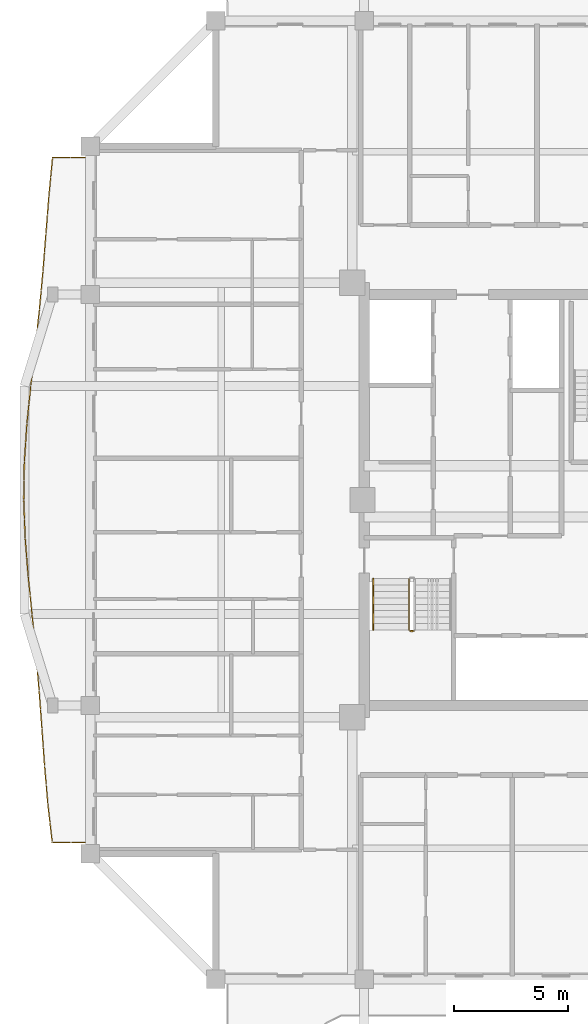
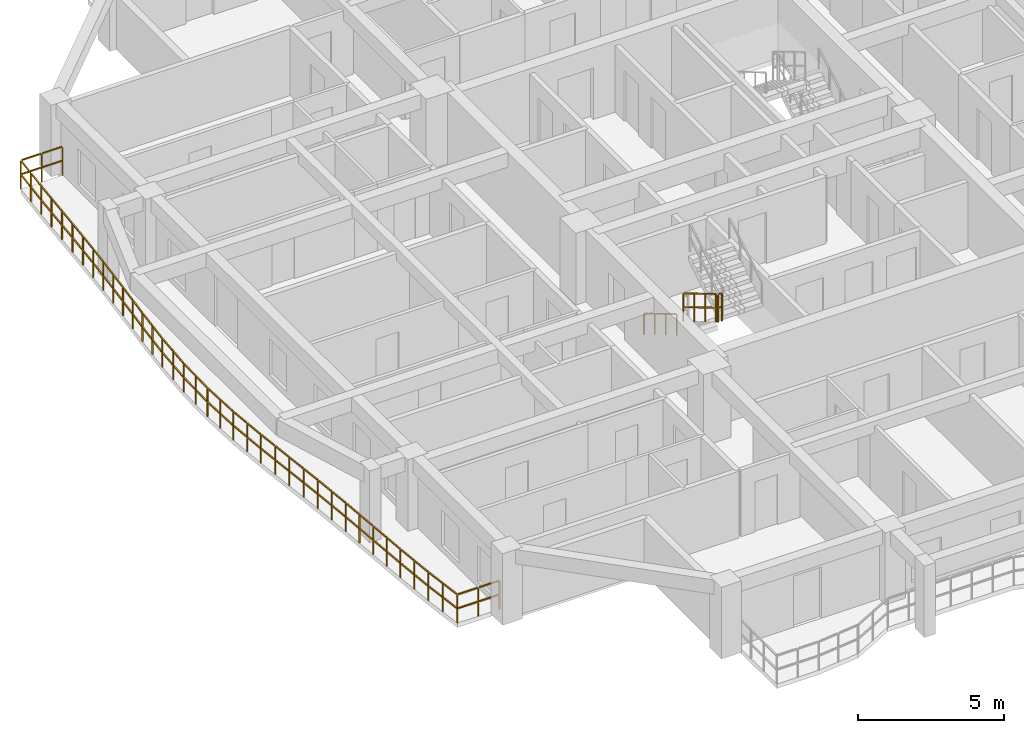
# One storey, part 10 of 13: 4 railings.
"""IFC4 building model written with IfcOpenShell, lengths in metres."""

import ifcopenshell
import ifcopenshell.guid

model = None  # the IFC model being written
_history = None  # IfcOwnerHistory: only IFC2X3 demands one
_inside = {}  # id of a spatial element -> (the spatial element, [elements in it])
_under = {}  # id of a project, library or spatial element -> (it, [spatial elements below it])
_declared = {}  # id of a project -> (the project, [libraries it declares])
_typed = {}  # id of a type object -> (the type object, [elements of that type])
_made_of = {}  # id of a material, layer set ... -> (it, [elements and type objects made of it])


def new_model(schema):
    """Start an empty IFC model of exactly this schema.

    Asked for "IFC4X3", IfcOpenShell would pick the latest addendum, in which some entities
    have other attributes; the version numbers below select the first issue.
    IFC2X3 requires an IfcOwnerHistory on every rooted entity: one is made here for all.
    """
    global model, _history
    if schema == "IFC4X3":
        model = ifcopenshell.file(schema_version=(4, 3, 0, 0))
    else:
        model = ifcopenshell.file(schema=schema)
    _inside.clear()
    _under.clear()
    _declared.clear()
    _typed.clear()
    _made_of.clear()
    _history = None
    if model.schema == "IFC2X3":
        org = make("IfcOrganization", Name="unknown")
        user = make(
            "IfcPersonAndOrganization",
            ThePerson=make("IfcPerson", FamilyName="unknown"),
            TheOrganization=org,
        )
        app = make(
            "IfcApplication",
            ApplicationDeveloper=org,
            Version="unknown",
            ApplicationFullName="unknown",
            ApplicationIdentifier="unknown",
        )
        _history = make(
            "IfcOwnerHistory",
            OwningUser=user,
            OwningApplication=app,
            ChangeAction="ADDED",
            CreationDate=0,
        )
    return model


def make(cls, **values):
    """One entity of the class cls with the attributes given. An attribute that is None is left unset."""
    return model.create_entity(
        cls, **{name: value for name, value in values.items() if value is not None}
    )


def rooted(cls, **values):
    """An entity with a GlobalId (a new one), such as an element, a storey or a relation."""
    return make(cls, GlobalId=ifcopenshell.guid.new(), OwnerHistory=_history, **values)


def si_unit(unit_type, name, prefix=None):
    """IfcSIUnit, for example si_unit("LENGTHUNIT", "METRE", prefix="MILLI")."""
    return make("IfcSIUnit", UnitType=unit_type, Prefix=prefix, Name=name)


def assignment(units):
    """IfcUnitAssignment: the units of a project."""
    return None if units is None else make("IfcUnitAssignment", Units=units)


def point(xyz):
    """IfcCartesianPoint."""
    return None if xyz is None else make("IfcCartesianPoint", Coordinates=xyz)


def direction(xyz):
    """IfcDirection."""
    return None if xyz is None else make("IfcDirection", DirectionRatios=xyz)


def frame(location, z_axis=None, x_axis=None):
    """IfcAxis2Placement3D, a coordinate frame: its origin and axes. An axis left out is left unset."""
    return make(
        "IfcAxis2Placement3D",
        Location=point(location),
        Axis=direction(z_axis),
        RefDirection=direction(x_axis),
    )


def frame_2d(location, x_axis=None):
    """IfcAxis2Placement2D, a coordinate frame in the plane: its origin and x axis."""
    return make(
        "IfcAxis2Placement2D", Location=point(location), RefDirection=direction(x_axis)
    )


def origin():
    """The frame at (0, 0, 0) with its axes left unset."""
    return frame((0.0, 0.0, 0.0))


def origin_2d():
    """The frame at (0, 0) in the plane with its x axis left unset."""
    return frame_2d((0.0, 0.0))


def place(relative_to, where):
    """IfcLocalPlacement: puts the frame where relative to a parent placement (None: the world)."""
    return make(
        "IfcLocalPlacement", PlacementRelTo=relative_to, RelativePlacement=where
    )


def context(
    kind, dimensions, precision=None, world=None, true_north=None, identifier=None
):
    """IfcGeometricRepresentationContext, for example the 3D "Model" context."""
    return make(
        "IfcGeometricRepresentationContext",
        ContextIdentifier=identifier,
        ContextType=kind,
        CoordinateSpaceDimension=dimensions,
        Precision=precision,
        WorldCoordinateSystem=world,
        TrueNorth=true_north,
    )


def subcontext(parent, identifier, kind, view, scale=None):
    """IfcGeometricRepresentationSubContext, for example "Body" below "Model"."""
    return make(
        "IfcGeometricRepresentationSubContext",
        ContextIdentifier=identifier,
        ContextType=kind,
        ParentContext=parent,
        TargetScale=scale,
        TargetView=view,
    )


def project(units=None, contexts=None):
    """IfcProject with its units and contexts."""
    return rooted(
        "IfcProject",
        Name="project",
        RepresentationContexts=contexts,
        UnitsInContext=assignment(units),
    )


def spatial(cls, under=None, at=None, **own):
    """A site, building, storey or space (cls), placed at a placement, below another one or the project."""
    s = rooted(cls, ObjectPlacement=at, **own)
    if under is not None:
        _under.setdefault(under.id(), (under, []))[1].append(s)
    return s


def profile(cls, at=None, kind="AREA", **sizes):
    """A parametric profile (cls). Its sizes go by their IFC names, for example OverallWidth=200.0."""
    return make(cls, ProfileType=kind, Position=at, **sizes)


def rectangle(**sizes):
    """IfcRectangleProfileDef."""
    return profile("IfcRectangleProfileDef", **sizes)


def extrude(swept, where, along, depth):
    """IfcExtrudedAreaSolid: the profile swept, set in the frame where, extruded along a direction by depth."""
    return make(
        "IfcExtrudedAreaSolid",
        SweptArea=swept,
        Position=where,
        ExtrudedDirection=direction(along),
        Depth=depth,
    )


def shape(context_of_items, identifier, shape_type, items):
    """IfcShapeRepresentation: the items that make up one representation, for example the "Body"."""
    return make(
        "IfcShapeRepresentation",
        ContextOfItems=context_of_items,
        RepresentationIdentifier=identifier,
        RepresentationType=shape_type,
        Items=items,
    )


def material(Name=None, Category=None):
    """IfcMaterial."""
    return make("IfcMaterial", Name=Name, Category=Category)


def made_of(thing, what):
    """Note that an element or type object is made of a material, layer set ...; save() writes the relation."""
    if what is not None:
        _made_of.setdefault(what.id(), (what, []))[1].append(thing)
    return thing


def type_object(cls, material=None, **own):
    """A type object (cls), such as IfcWallType, which elements share."""
    return made_of(rooted(cls, **own), material)


def element(
    cls,
    number,
    at=None,
    inside=None,
    cuts=None,
    type_object=None,
    material=None,
    context=None,
    identifier="Body",
    shape_type=None,
    held_by="IfcProductDefinitionShape",
    body=None,
    shapes=None,
    **own,
):
    """One element of the class cls, such as IfcWall. Its Tag is "e" and its number.

    at: its placement. inside: the storey or other place that contains it. cuts: it is an
    opening in that element (IfcRelVoidsElement). A single representation is given by context,
    identifier, shape_type and body (its items); several are given by shapes. held_by: the class
    of the entity that holds the representations. save() writes the other relations.
    """
    e = rooted(cls, Tag="e%d" % number, ObjectPlacement=at, **own)
    if body is not None:
        shapes = [shape(context, identifier, shape_type, body)]
    if shapes is not None:
        e.Representation = make(held_by, Representations=shapes)
    if inside is not None:
        _inside.setdefault(inside.id(), (inside, []))[1].append(e)
    if cuts is not None:
        rooted(
            "IfcRelVoidsElement", RelatingBuildingElement=cuts, RelatedOpeningElement=e
        )
    if type_object is not None:
        _typed.setdefault(type_object.id(), (type_object, []))[1].append(e)
    return made_of(e, material)


def aggregate(whole, parts):
    """IfcRelAggregates: a whole, such as a stair, and the parts it consists of."""
    return rooted("IfcRelAggregates", RelatingObject=whole, RelatedObjects=parts)


def save(model, path):
    """Write the relations noted so far, then the file.

    IfcRelAggregates (storeys below a building ...), IfcRelContainedInSpatialStructure (elements
    in a storey), IfcRelDefinesByType, IfcRelAssociatesMaterial and IfcRelDeclares: one each for
    every whole, place, type object, material and project.
    """
    for whole, parts in _under.values():
        aggregate(whole, parts)
    for where, things in _inside.values():
        rooted(
            "IfcRelContainedInSpatialStructure",
            RelatedElements=things,
            RelatingStructure=where,
        )
    for kind, things in _typed.values():
        rooted("IfcRelDefinesByType", RelatedObjects=things, RelatingType=kind)
    for what, things in _made_of.values():
        rooted("IfcRelAssociatesMaterial", RelatedObjects=things, RelatingMaterial=what)
    for by, libraries in _declared.values():
        rooted("IfcRelDeclares", RelatingContext=by, RelatedDefinitions=libraries)
    model.write(path)


model = new_model("IFC4")

# Units and contexts
model_context = context("Model", 3, precision=1e-05, world=origin(), true_north=direction((0.0, 1.0)))
body_context = subcontext(model_context, "Body", "Model", "MODEL_VIEW")
ifc_project = project(units=[si_unit("LENGTHUNIT", "METRE"), si_unit("AREAUNIT", "SQUARE_METRE"), si_unit("VOLUMEUNIT", "CUBIC_METRE"), si_unit("PLANEANGLEUNIT", "RADIAN"), si_unit("MASSUNIT", "GRAM", prefix="KILO")], contexts=[model_context])

# Site, building, storey
site_placement = place(None, origin())
site = spatial("IfcSite", under=ifc_project, at=site_placement, CompositionType="ELEMENT")
building_placement = place(site_placement, origin())
building = spatial("IfcBuilding", under=site, at=building_placement, Name="Saelheon Loggia Tower", CompositionType="ELEMENT")
storey_placement = place(building_placement, frame((0.0, 0.0, 199.60009765625)))
storey = spatial("IfcBuildingStorey", under=building, at=storey_placement, Name="L62", CompositionType="ELEMENT", Elevation=199.60009765625)

# Railings
ifc_material_1 = material(Name="Architectural Precast Concrete and Laminated Glass Guard", Category="concrete")
railing_type_1 = type_object("IfcRailingType", Name="Guard_Loggia_RL_LOG", PredefinedType="BALUSTRADE", material=ifc_material_1)
railing_1_placement = place(storey_placement, frame((19.5, 42.0, 0.0)))
element("IfcRailing", 1, at=railing_1_placement, inside=storey, type_object=railing_type_1, Name="L62 West Loggia Balustrade", PredefinedType="BALUSTRADE", context=body_context, shape_type="SweptSolid", body=[
    extrude(rectangle(XDim=0.048095703125, YDim=0.048095703125, at=origin_2d()), frame((-0.033203125, 0.0, 1.19580078125), z_axis=(-1.0, 0.0, 0.0), x_axis=(0.0, -1.0, 0.0)), (0.0, 0.0, 1.0), 0.76171875),
    extrude(rectangle(XDim=0.048095703125, YDim=0.048095703125, at=origin_2d()), frame((-0.033203125, 0.0, 0.60986328125), z_axis=(-1.0, 0.0, 0.0), x_axis=(0.0, -1.0, 0.0)), (0.0, 0.0, 1.0), 0.76171875),
    extrude(rectangle(XDim=0.048095703125, YDim=0.048095703125, at=origin_2d()), frame((-0.861328125, 0.0, 1.19580078125), z_axis=(-1.0, 0.0, 0.0), x_axis=(0.0, -1.0, 0.0)), (0.0, 0.0, 1.0), 0.76171875),
    extrude(rectangle(XDim=0.048095703125, YDim=0.048095703125, at=origin_2d()), frame((-0.861328125, 0.0, 0.60986328125), z_axis=(-1.0, 0.0, 0.0), x_axis=(0.0, -1.0, 0.0)), (0.0, 0.0, 1.0), 0.76171875),
    extrude(rectangle(XDim=0.048095703125, YDim=0.048095703125, at=origin_2d()), frame((-1.659423828125, -0.033203125, 1.19580078125), z_axis=(-0.095215063938, -0.995456725126, 0.0), x_axis=(0.995456725126, -0.095215063938, 0.0)), (0.0, 0.0, 1.0), 0.770751953125),
    extrude(rectangle(XDim=0.048095703125, YDim=0.048095703125, at=origin_2d()), frame((-1.659423828125, -0.033203125, 0.60986328125), z_axis=(-0.095215063938, -0.995456725126, 0.0), x_axis=(0.995456725126, -0.095215063938, 0.0)), (0.0, 0.0, 1.0), 0.770751953125),
    extrude(rectangle(XDim=0.048095703125, YDim=0.048095703125, at=origin_2d()), frame((-1.739013671875, -0.866455078125, 1.19580078125), z_axis=(-0.095215063938, -0.995456725126, 0.0), x_axis=(0.995456725126, -0.095215063938, 0.0)), (0.0, 0.0, 1.0), 0.770751953125),
    extrude(rectangle(XDim=0.048095703125, YDim=0.048095703125, at=origin_2d()), frame((-1.739013671875, -0.866455078125, 0.60986328125), z_axis=(-0.095215063938, -0.995456725126, 0.0), x_axis=(0.995456725126, -0.095215063938, 0.0)), (0.0, 0.0, 1.0), 0.770751953125),
    extrude(rectangle(XDim=0.048095703125, YDim=0.048095703125, at=origin_2d()), frame((-1.818359375, -1.699951171875, 1.19580078125), z_axis=(-0.078717763251, -0.996896942391, 0.0), x_axis=(0.996896942391, -0.078717763251, 0.0)), (0.0, 0.0, 1.0), 0.769287109375),
    extrude(rectangle(XDim=0.048095703125, YDim=0.048095703125, at=origin_2d()), frame((-1.818359375, -1.699951171875, 0.60986328125), z_axis=(-0.078717763251, -0.996896942391, 0.0), x_axis=(0.996896942391, -0.078717763251, 0.0)), (0.0, 0.0, 1.0), 0.769287109375),
    extrude(rectangle(XDim=0.048095703125, YDim=0.048095703125, at=origin_2d()), frame((-1.884033203125, -2.533203125, 1.19580078125), z_axis=(-0.078717763251, -0.996896942391, 0.0), x_axis=(0.996896942391, -0.078717763251, 0.0)), (0.0, 0.0, 1.0), 0.769287109375),
    extrude(rectangle(XDim=0.048095703125, YDim=0.048095703125, at=origin_2d()), frame((-1.884033203125, -2.533203125, 0.60986328125), z_axis=(-0.078717763251, -0.996896942391, 0.0), x_axis=(0.996896942391, -0.078717763251, 0.0)), (0.0, 0.0, 1.0), 0.769287109375),
    extrude(rectangle(XDim=0.048095703125, YDim=0.048095703125, at=origin_2d()), frame((-1.949951171875, -3.366455078125, 1.19580078125), z_axis=(-0.078851420083, -0.996886379459, 0.0), x_axis=(0.996886379459, -0.078851420083, 0.0)), (0.0, 0.0, 1.0), 0.76953125),
    extrude(rectangle(XDim=0.048095703125, YDim=0.048095703125, at=origin_2d()), frame((-1.949951171875, -3.366455078125, 0.60986328125), z_axis=(-0.078851420083, -0.996886379459, 0.0), x_axis=(0.996886379459, -0.078851420083, 0.0)), (0.0, 0.0, 1.0), 0.76953125),
    extrude(rectangle(XDim=0.048095703125, YDim=0.048095703125, at=origin_2d()), frame((-2.015869140625, -4.19970703125, 1.19580078125), z_axis=(-0.078851420083, -0.996886379459, 0.0), x_axis=(0.996886379459, -0.078851420083, 0.0)), (0.0, 0.0, 1.0), 0.76953125),
    extrude(rectangle(XDim=0.048095703125, YDim=0.048095703125, at=origin_2d()), frame((-2.015869140625, -4.19970703125, 0.60986328125), z_axis=(-0.078851420083, -0.996886379459, 0.0), x_axis=(0.996886379459, -0.078851420083, 0.0)), (0.0, 0.0, 1.0), 0.76953125),
    extrude(rectangle(XDim=0.048095703125, YDim=0.048095703125, at=origin_2d()), frame((-2.082275390625, -5.033203125, 1.19580078125), z_axis=(-0.092179464317, -0.995742409641, 0.0), x_axis=(0.995742409641, -0.092179464317, 0.0)), (0.0, 0.0, 1.0), 0.7705078125),
    extrude(rectangle(XDim=0.048095703125, YDim=0.048095703125, at=origin_2d()), frame((-2.082275390625, -5.033203125, 0.60986328125), z_axis=(-0.092179464317, -0.995742409641, 0.0), x_axis=(0.995742409641, -0.092179464317, 0.0)), (0.0, 0.0, 1.0), 0.7705078125),
    extrude(rectangle(XDim=0.048095703125, YDim=0.048095703125, at=origin_2d()), frame((-2.159423828125, -5.866455078125, 1.19580078125), z_axis=(-0.092179464317, -0.995742409641, 0.0), x_axis=(0.995742409641, -0.092179464317, 0.0)), (0.0, 0.0, 1.0), 0.7705078125),
    extrude(rectangle(XDim=0.048095703125, YDim=0.048095703125, at=origin_2d()), frame((-2.159423828125, -5.866455078125, 0.60986328125), z_axis=(-0.092179464317, -0.995742409641, 0.0), x_axis=(0.995742409641, -0.092179464317, 0.0)), (0.0, 0.0, 1.0), 0.7705078125),
    extrude(rectangle(XDim=0.048095703125, YDim=0.048095703125, at=origin_2d()), frame((-2.237060546875, -6.69970703125, 1.19580078125), z_axis=(-0.108641144333, -0.994081033799, 0.0), x_axis=(0.994081033799, -0.108641144333, 0.0)), (0.0, 0.0, 1.0), 0.771728515625),
    extrude(rectangle(XDim=0.048095703125, YDim=0.048095703125, at=origin_2d()), frame((-2.237060546875, -6.69970703125, 0.60986328125), z_axis=(-0.108641144333, -0.994081033799, 0.0), x_axis=(0.994081033799, -0.108641144333, 0.0)), (0.0, 0.0, 1.0), 0.771728515625),
    extrude(rectangle(XDim=0.048095703125, YDim=0.048095703125, at=origin_2d()), frame((-2.328125, -7.532958984375, 1.19580078125), z_axis=(-0.108641144333, -0.994081033799, 0.0), x_axis=(0.994081033799, -0.108641144333, 0.0)), (0.0, 0.0, 1.0), 0.771728515625),
    extrude(rectangle(XDim=0.048095703125, YDim=0.048095703125, at=origin_2d()), frame((-2.328125, -7.532958984375, 0.60986328125), z_axis=(-0.108641144333, -0.994081033799, 0.0), x_axis=(0.994081033799, -0.108641144333, 0.0)), (0.0, 0.0, 1.0), 0.771728515625),
    extrude(rectangle(XDim=0.048095703125, YDim=0.048095703125, at=origin_2d()), frame((-2.41943359375, -8.3662109375, 1.19580078125), z_axis=(-0.11494995089, -0.99337128446, 0.0), x_axis=(0.99337128446, -0.11494995089, 0.0)), (0.0, 0.0, 1.0), 0.7724609375),
    extrude(rectangle(XDim=0.048095703125, YDim=0.048095703125, at=origin_2d()), frame((-2.41943359375, -8.3662109375, 0.60986328125), z_axis=(-0.11494995089, -0.99337128446, 0.0), x_axis=(0.99337128446, -0.11494995089, 0.0)), (0.0, 0.0, 1.0), 0.7724609375),
    extrude(rectangle(XDim=0.048095703125, YDim=0.048095703125, at=origin_2d()), frame((-2.515869140625, -9.19970703125, 1.19580078125), z_axis=(-0.11494995089, -0.99337128446, 0.0), x_axis=(0.99337128446, -0.11494995089, 0.0)), (0.0, 0.0, 1.0), 0.7724609375),
    extrude(rectangle(XDim=0.048095703125, YDim=0.048095703125, at=origin_2d()), frame((-2.515869140625, -9.19970703125, 0.60986328125), z_axis=(-0.11494995089, -0.99337128446, 0.0), x_axis=(0.99337128446, -0.11494995089, 0.0)), (0.0, 0.0, 1.0), 0.7724609375),
    extrude(rectangle(XDim=0.048095703125, YDim=0.048095703125, at=origin_2d()), frame((-2.61181640625, -10.032958984375, 1.19580078125), z_axis=(-0.101855086203, -0.99479924679, 0.0), x_axis=(0.99479924679, -0.101855086203, 0.0)), (0.0, 0.0, 1.0), 0.771240234375),
    extrude(rectangle(XDim=0.048095703125, YDim=0.048095703125, at=origin_2d()), frame((-2.61181640625, -10.032958984375, 0.60986328125), z_axis=(-0.101855086203, -0.99479924679, 0.0), x_axis=(0.99479924679, -0.101855086203, 0.0)), (0.0, 0.0, 1.0), 0.771240234375),
    extrude(rectangle(XDim=0.048095703125, YDim=0.048095703125, at=origin_2d()), frame((-2.697021484375, -10.866455078125, 1.19580078125), z_axis=(-0.101855086203, -0.99479924679, 0.0), x_axis=(0.99479924679, -0.101855086203, 0.0)), (0.0, 0.0, 1.0), 0.771240234375),
    extrude(rectangle(XDim=0.048095703125, YDim=0.048095703125, at=origin_2d()), frame((-2.697021484375, -10.866455078125, 0.60986328125), z_axis=(-0.101855086203, -0.99479924679, 0.0), x_axis=(0.99479924679, -0.101855086203, 0.0)), (0.0, 0.0, 1.0), 0.771240234375),
    extrude(rectangle(XDim=0.048095703125, YDim=0.048095703125, at=origin_2d()), frame((-2.78125, -11.699951171875, 1.19580078125), z_axis=(-0.066509308686, -0.997785804598, 0.0), x_axis=(0.997785804598, -0.066509308686, 0.0)), (0.0, 0.0, 1.0), 0.7685546875),
    extrude(rectangle(XDim=0.048095703125, YDim=0.048095703125, at=origin_2d()), frame((-2.78125, -11.699951171875, 0.60986328125), z_axis=(-0.066509308686, -0.997785804598, 0.0), x_axis=(0.997785804598, -0.066509308686, 0.0)), (0.0, 0.0, 1.0), 0.7685546875),
    extrude(rectangle(XDim=0.048095703125, YDim=0.048095703125, at=origin_2d()), frame((-2.8369140625, -12.533203125, 1.19580078125), z_axis=(-0.066509308686, -0.997785804598, 0.0), x_axis=(0.997785804598, -0.066509308686, 0.0)), (0.0, 0.0, 1.0), 0.7685546875),
    extrude(rectangle(XDim=0.048095703125, YDim=0.048095703125, at=origin_2d()), frame((-2.8369140625, -12.533203125, 0.60986328125), z_axis=(-0.066509308686, -0.997785804598, 0.0), x_axis=(0.997785804598, -0.066509308686, 0.0)), (0.0, 0.0, 1.0), 0.7685546875),
    extrude(rectangle(XDim=0.048095703125, YDim=0.048095703125, at=origin_2d()), frame((-2.890625, -13.366455078125, 1.19580078125), z_axis=(-0.015817560951, -0.999874894557, 0.0), x_axis=(0.999874894557, -0.015817560951, 0.0)), (0.0, 0.0, 1.0), 0.76708984375),
    extrude(rectangle(XDim=0.048095703125, YDim=0.048095703125, at=origin_2d()), frame((-2.890625, -13.366455078125, 0.60986328125), z_axis=(-0.015817560951, -0.999874894557, 0.0), x_axis=(0.999874894557, -0.015817560951, 0.0)), (0.0, 0.0, 1.0), 0.76708984375),
    extrude(rectangle(XDim=0.048095703125, YDim=0.048095703125, at=origin_2d()), frame((-2.90380859375, -14.199951171875, 1.19580078125), z_axis=(-0.015817560951, -0.999874894557, 0.0), x_axis=(0.999874894557, -0.015817560951, 0.0)), (0.0, 0.0, 1.0), 0.76708984375),
    extrude(rectangle(XDim=0.048095703125, YDim=0.048095703125, at=origin_2d()), frame((-2.90380859375, -14.199951171875, 0.60986328125), z_axis=(-0.015817560951, -0.999874894557, 0.0), x_axis=(0.999874894557, -0.015817560951, 0.0)), (0.0, 0.0, 1.0), 0.76708984375),
    extrude(rectangle(XDim=0.048095703125, YDim=0.048095703125, at=origin_2d()), frame((-2.915283203125, -15.033203125, 1.19580078125), z_axis=(0.037179491042, -0.999308603709, 0.0), x_axis=(0.999308603709, 0.037179491042, 0.0)), (0.0, 0.0, 1.0), 0.767578125),
    extrude(rectangle(XDim=0.048095703125, YDim=0.048095703125, at=origin_2d()), frame((-2.915283203125, -15.033203125, 0.60986328125), z_axis=(0.037179491042, -0.999308603709, 0.0), x_axis=(0.999308603709, 0.037179491042, 0.0)), (0.0, 0.0, 1.0), 0.767578125),
    extrude(rectangle(XDim=0.048095703125, YDim=0.048095703125, at=origin_2d()), frame((-2.88427734375, -15.86669921875, 1.19580078125), z_axis=(0.037179491042, -0.999308603709, 0.0), x_axis=(0.999308603709, 0.037179491042, 0.0)), (0.0, 0.0, 1.0), 0.767578125),
    extrude(rectangle(XDim=0.048095703125, YDim=0.048095703125, at=origin_2d()), frame((-2.88427734375, -15.86669921875, 0.60986328125), z_axis=(0.037179491042, -0.999308603709, 0.0), x_axis=(0.999308603709, 0.037179491042, 0.0)), (0.0, 0.0, 1.0), 0.767578125),
    extrude(rectangle(XDim=0.048095703125, YDim=0.048095703125, at=origin_2d()), frame((-2.851806640625, -16.699951171875, 1.19580078125), z_axis=(0.078717763251, -0.996896942391, 0.0), x_axis=(0.996896942391, 0.078717763251, 0.0)), (0.0, 0.0, 1.0), 0.769287109375),
    extrude(rectangle(XDim=0.048095703125, YDim=0.048095703125, at=origin_2d()), frame((-2.851806640625, -16.699951171875, 0.60986328125), z_axis=(0.078717763251, -0.996896942391, 0.0), x_axis=(0.996896942391, 0.078717763251, 0.0)), (0.0, 0.0, 1.0), 0.769287109375),
    extrude(rectangle(XDim=0.048095703125, YDim=0.048095703125, at=origin_2d()), frame((-2.7861328125, -17.533203125, 1.19580078125), z_axis=(0.078717763251, -0.996896942391, 0.0), x_axis=(0.996896942391, 0.078717763251, 0.0)), (0.0, 0.0, 1.0), 0.769287109375),
    extrude(rectangle(XDim=0.048095703125, YDim=0.048095703125, at=origin_2d()), frame((-2.7861328125, -17.533203125, 0.60986328125), z_axis=(0.078717763251, -0.996896942391, 0.0), x_axis=(0.996896942391, 0.078717763251, 0.0)), (0.0, 0.0, 1.0), 0.769287109375),
    extrude(rectangle(XDim=0.048095703125, YDim=0.048095703125, at=origin_2d()), frame((-2.719482421875, -18.3662109375, 1.19580078125), z_axis=(0.099258387695, -0.995061692797, 0.0), x_axis=(0.995061692797, 0.099258387695, 0.0)), (0.0, 0.0, 1.0), 0.77099609375),
    extrude(rectangle(XDim=0.048095703125, YDim=0.048095703125, at=origin_2d()), frame((-2.719482421875, -18.3662109375, 0.60986328125), z_axis=(0.099258387695, -0.995061692797, 0.0), x_axis=(0.995061692797, 0.099258387695, 0.0)), (0.0, 0.0, 1.0), 0.77099609375),
    extrude(rectangle(XDim=0.048095703125, YDim=0.048095703125, at=origin_2d()), frame((-2.636474609375, -19.19970703125, 1.19580078125), z_axis=(0.099258387695, -0.995061692797, 0.0), x_axis=(0.995061692797, 0.099258387695, 0.0)), (0.0, 0.0, 1.0), 0.77099609375),
    extrude(rectangle(XDim=0.048095703125, YDim=0.048095703125, at=origin_2d()), frame((-2.636474609375, -19.19970703125, 0.60986328125), z_axis=(0.099258387695, -0.995061692797, 0.0), x_axis=(0.995061692797, 0.099258387695, 0.0)), (0.0, 0.0, 1.0), 0.77099609375),
    extrude(rectangle(XDim=0.048095703125, YDim=0.048095703125, at=origin_2d()), frame((-2.55322265625, -20.032958984375, 1.19580078125), z_axis=(0.099258387695, -0.995061692797, 0.0), x_axis=(0.995061692797, 0.099258387695, 0.0)), (0.0, 0.0, 1.0), 0.77099609375),
    extrude(rectangle(XDim=0.048095703125, YDim=0.048095703125, at=origin_2d()), frame((-2.55322265625, -20.032958984375, 0.60986328125), z_axis=(0.099258387695, -0.995061692797, 0.0), x_axis=(0.995061692797, 0.099258387695, 0.0)), (0.0, 0.0, 1.0), 0.77099609375),
    extrude(rectangle(XDim=0.048095703125, YDim=0.048095703125, at=origin_2d()), frame((-2.47021484375, -20.866455078125, 1.19580078125), z_axis=(0.099258387695, -0.995061692797, 0.0), x_axis=(0.995061692797, 0.099258387695, 0.0)), (0.0, 0.0, 1.0), 0.77099609375),
    extrude(rectangle(XDim=0.048095703125, YDim=0.048095703125, at=origin_2d()), frame((-2.47021484375, -20.866455078125, 0.60986328125), z_axis=(0.099258387695, -0.995061692797, 0.0), x_axis=(0.995061692797, 0.099258387695, 0.0)), (0.0, 0.0, 1.0), 0.77099609375),
    extrude(rectangle(XDim=0.048095703125, YDim=0.048095703125, at=origin_2d()), frame((-2.387451171875, -21.699951171875, 1.19580078125), z_axis=(0.086402883771, -0.996260278078, 0.0), x_axis=(0.996260278078, 0.086402883771, 0.0)), (0.0, 0.0, 1.0), 0.77001953125),
    extrude(rectangle(XDim=0.048095703125, YDim=0.048095703125, at=origin_2d()), frame((-2.387451171875, -21.699951171875, 0.60986328125), z_axis=(0.086402883771, -0.996260278078, 0.0), x_axis=(0.996260278078, 0.086402883771, 0.0)), (0.0, 0.0, 1.0), 0.77001953125),
    extrude(rectangle(XDim=0.048095703125, YDim=0.048095703125, at=origin_2d()), frame((-2.315185546875, -22.533203125, 1.19580078125), z_axis=(0.086402883771, -0.996260278078, 0.0), x_axis=(0.996260278078, 0.086402883771, 0.0)), (0.0, 0.0, 1.0), 0.77001953125),
    extrude(rectangle(XDim=0.048095703125, YDim=0.048095703125, at=origin_2d()), frame((-2.315185546875, -22.533203125, 0.60986328125), z_axis=(0.086402883771, -0.996260278078, 0.0), x_axis=(0.996260278078, 0.086402883771, 0.0)), (0.0, 0.0, 1.0), 0.77001953125),
    extrude(rectangle(XDim=0.048095703125, YDim=0.048095703125, at=origin_2d()), frame((-2.243408203125, -23.366455078125, 1.19580078125), z_axis=(0.073188280205, -0.997318141638, 0.0), x_axis=(0.997318141638, 0.073188280205, 0.0)), (0.0, 0.0, 1.0), 0.76904296875),
    extrude(rectangle(XDim=0.048095703125, YDim=0.048095703125, at=origin_2d()), frame((-2.243408203125, -23.366455078125, 0.60986328125), z_axis=(0.073188280205, -0.997318141638, 0.0), x_axis=(0.997318141638, 0.073188280205, 0.0)), (0.0, 0.0, 1.0), 0.76904296875),
    extrude(rectangle(XDim=0.048095703125, YDim=0.048095703125, at=origin_2d()), frame((-2.182373046875, -24.19970703125, 1.19580078125), z_axis=(0.073188280205, -0.997318141638, 0.0), x_axis=(0.997318141638, 0.073188280205, 0.0)), (0.0, 0.0, 1.0), 0.76904296875),
    extrude(rectangle(XDim=0.048095703125, YDim=0.048095703125, at=origin_2d()), frame((-2.182373046875, -24.19970703125, 0.60986328125), z_axis=(0.073188280205, -0.997318141638, 0.0), x_axis=(0.997318141638, 0.073188280205, 0.0)), (0.0, 0.0, 1.0), 0.76904296875),
    extrude(rectangle(XDim=0.048095703125, YDim=0.048095703125, at=origin_2d()), frame((-2.12109375, -25.033203125, 1.19580078125), z_axis=(0.071153601195, -0.997465370345, 0.0), x_axis=(0.997465370345, 0.071153601195, 0.0)), (0.0, 0.0, 1.0), 0.76904296875),
    extrude(rectangle(XDim=0.048095703125, YDim=0.048095703125, at=origin_2d()), frame((-2.12109375, -25.033203125, 0.60986328125), z_axis=(0.071153601195, -0.997465370345, 0.0), x_axis=(0.997465370345, 0.071153601195, 0.0)), (0.0, 0.0, 1.0), 0.76904296875),
    extrude(rectangle(XDim=0.048095703125, YDim=0.048095703125, at=origin_2d()), frame((-2.061767578125, -25.866455078125, 1.19580078125), z_axis=(0.071153601195, -0.997465370345, 0.0), x_axis=(0.997465370345, 0.071153601195, 0.0)), (0.0, 0.0, 1.0), 0.76904296875),
    extrude(rectangle(XDim=0.048095703125, YDim=0.048095703125, at=origin_2d()), frame((-2.061767578125, -25.866455078125, 0.60986328125), z_axis=(0.071153601195, -0.997465370345, 0.0), x_axis=(0.997465370345, 0.071153601195, 0.0)), (0.0, 0.0, 1.0), 0.76904296875),
    extrude(rectangle(XDim=0.048095703125, YDim=0.048095703125, at=origin_2d()), frame((-2.001708984375, -26.699951171875, 1.19580078125), z_axis=(0.085823395114, -0.996310365725, 0.0), x_axis=(0.996310365725, 0.085823395114, 0.0)), (0.0, 0.0, 1.0), 0.769775390625),
    extrude(rectangle(XDim=0.048095703125, YDim=0.048095703125, at=origin_2d()), frame((-2.001708984375, -26.699951171875, 0.60986328125), z_axis=(0.085823395114, -0.996310365725, 0.0), x_axis=(0.996310365725, 0.085823395114, 0.0)), (0.0, 0.0, 1.0), 0.769775390625),
    extrude(rectangle(XDim=0.048095703125, YDim=0.048095703125, at=origin_2d()), frame((-1.929931640625, -27.533203125, 1.19580078125), z_axis=(0.085823395114, -0.996310365725, 0.0), x_axis=(0.996310365725, 0.085823395114, 0.0)), (0.0, 0.0, 1.0), 0.769775390625),
    extrude(rectangle(XDim=0.048095703125, YDim=0.048095703125, at=origin_2d()), frame((-1.929931640625, -27.533203125, 0.60986328125), z_axis=(0.085823395114, -0.996310365725, 0.0), x_axis=(0.996310365725, 0.085823395114, 0.0)), (0.0, 0.0, 1.0), 0.769775390625),
    extrude(rectangle(XDim=0.048095703125, YDim=0.048095703125, at=origin_2d()), frame((-1.857177734375, -28.3662109375, 1.19580078125), z_axis=(0.113944689513, -0.993487094899, 0.0), x_axis=(0.993487094899, 0.113944689513, 0.0)), (0.0, 0.0, 1.0), 0.7724609375),
    extrude(rectangle(XDim=0.048095703125, YDim=0.048095703125, at=origin_2d()), frame((-1.857177734375, -28.3662109375, 0.60986328125), z_axis=(0.113944689513, -0.993487094899, 0.0), x_axis=(0.993487094899, 0.113944689513, 0.0)), (0.0, 0.0, 1.0), 0.7724609375),
    extrude(rectangle(XDim=0.048095703125, YDim=0.048095703125, at=origin_2d()), frame((-1.76171875, -29.19970703125, 1.19580078125), z_axis=(0.113944689513, -0.993487094899, 0.0), x_axis=(0.993487094899, 0.113944689513, 0.0)), (0.0, 0.0, 1.0), 0.7724609375),
    extrude(rectangle(XDim=0.048095703125, YDim=0.048095703125, at=origin_2d()), frame((-1.76171875, -29.19970703125, 0.60986328125), z_axis=(0.113944689513, -0.993487094899, 0.0), x_axis=(0.993487094899, 0.113944689513, 0.0)), (0.0, 0.0, 1.0), 0.7724609375),
    extrude(rectangle(XDim=0.048095703125, YDim=0.048095703125, at=origin_2d()), frame((-1.63671875, -30.0, 1.19580078125), z_axis=(1.0, 0.0, 0.0), x_axis=(0.0, 1.0, 0.0)), (0.0, 0.0, 1.0), 0.7685546875),
    extrude(rectangle(XDim=0.048095703125, YDim=0.048095703125, at=origin_2d()), frame((-1.63671875, -30.0, 0.60986328125), z_axis=(1.0, 0.0, 0.0), x_axis=(0.0, 1.0, 0.0)), (0.0, 0.0, 1.0), 0.7685546875),
    extrude(rectangle(XDim=0.048095703125, YDim=0.048095703125, at=origin_2d()), frame((-0.8017578125, -30.0, 1.19580078125), z_axis=(1.0, 0.0, 0.0), x_axis=(0.0, 1.0, 0.0)), (0.0, 0.0, 1.0), 0.7685546875),
    extrude(rectangle(XDim=0.048095703125, YDim=0.048095703125, at=origin_2d()), frame((-0.8017578125, -30.0, 0.60986328125), z_axis=(1.0, 0.0, 0.0), x_axis=(0.0, 1.0, 0.0)), (0.0, 0.0, 1.0), 0.7685546875),
    extrude(rectangle(XDim=0.0419921875, YDim=0.0419921875, at=origin_2d()), origin(), (0.0, 0.0, 1.0), 1.16796875),
    extrude(rectangle(XDim=0.0419921875, YDim=0.0419921875, at=origin_2d()), frame((-0.828125, 0.0, 0.0)), (0.0, 0.0, 1.0), 1.16796875),
    extrude(rectangle(XDim=0.0419921875, YDim=0.0419921875, at=origin_2d()), frame((-1.65625, 0.0, 0.0)), (0.0, 0.0, 1.0), 1.16796875),
    extrude(rectangle(XDim=0.0419921875, YDim=0.0419921875, at=origin_2d()), frame((-1.73583984375, -0.83349609375, 0.0)), (0.0, 0.0, 1.0), 1.16796875),
    extrude(rectangle(XDim=0.0419921875, YDim=0.0419921875, at=origin_2d()), frame((-1.815673828125, -1.666748046875, 0.0)), (0.0, 0.0, 1.0), 1.16796875),
    extrude(rectangle(XDim=0.0419921875, YDim=0.0419921875, at=origin_2d()), frame((-1.88134765625, -2.5, 0.0)), (0.0, 0.0, 1.0), 1.16796875),
    extrude(rectangle(XDim=0.0419921875, YDim=0.0419921875, at=origin_2d()), frame((-1.947265625, -3.333251953125, 0.0)), (0.0, 0.0, 1.0), 1.16796875),
    extrude(rectangle(XDim=0.0419921875, YDim=0.0419921875, at=origin_2d()), frame((-2.01318359375, -4.16650390625, 0.0)), (0.0, 0.0, 1.0), 1.16796875),
    extrude(rectangle(XDim=0.0419921875, YDim=0.0419921875, at=origin_2d()), frame((-2.0791015625, -5.0, 0.0)), (0.0, 0.0, 1.0), 1.16796875),
    extrude(rectangle(XDim=0.0419921875, YDim=0.0419921875, at=origin_2d()), frame((-2.15625, -5.83349609375, 0.0)), (0.0, 0.0, 1.0), 1.16796875),
    extrude(rectangle(XDim=0.0419921875, YDim=0.0419921875, at=origin_2d()), frame((-2.2333984375, -6.666748046875, 0.0)), (0.0, 0.0, 1.0), 1.16796875),
    extrude(rectangle(XDim=0.0419921875, YDim=0.0419921875, at=origin_2d()), frame((-2.324462890625, -7.5, 0.0)), (0.0, 0.0, 1.0), 1.16796875),
    extrude(rectangle(XDim=0.0419921875, YDim=0.0419921875, at=origin_2d()), frame((-2.41552734375, -8.333251953125, 0.0)), (0.0, 0.0, 1.0), 1.16796875),
    extrude(rectangle(XDim=0.0419921875, YDim=0.0419921875, at=origin_2d()), frame((-2.511962890625, -9.16650390625, 0.0)), (0.0, 0.0, 1.0), 1.16796875),
    extrude(rectangle(XDim=0.0419921875, YDim=0.0419921875, at=origin_2d()), frame((-2.6083984375, -10.0, 0.0)), (0.0, 0.0, 1.0), 1.16796875),
    extrude(rectangle(XDim=0.0419921875, YDim=0.0419921875, at=origin_2d()), frame((-2.69384765625, -10.83349609375, 0.0)), (0.0, 0.0, 1.0), 1.16796875),
    extrude(rectangle(XDim=0.0419921875, YDim=0.0419921875, at=origin_2d()), frame((-2.779052734375, -11.666748046875, 0.0)), (0.0, 0.0, 1.0), 1.16796875),
    extrude(rectangle(XDim=0.0419921875, YDim=0.0419921875, at=origin_2d()), frame((-2.83447265625, -12.5, 0.0)), (0.0, 0.0, 1.0), 1.16796875),
    extrude(rectangle(XDim=0.0419921875, YDim=0.0419921875, at=origin_2d()), frame((-2.89013671875, -13.333251953125, 0.0)), (0.0, 0.0, 1.0), 1.16796875),
    extrude(rectangle(XDim=0.0419921875, YDim=0.0419921875, at=origin_2d()), frame((-2.9033203125, -14.16650390625, 0.0)), (0.0, 0.0, 1.0), 1.16796875),
    extrude(rectangle(XDim=0.0419921875, YDim=0.0419921875, at=origin_2d()), frame((-2.91650390625, -15.0, 0.0)), (0.0, 0.0, 1.0), 1.16796875),
    extrude(rectangle(XDim=0.0419921875, YDim=0.0419921875, at=origin_2d()), frame((-2.885498046875, -15.83349609375, 0.0)), (0.0, 0.0, 1.0), 1.16796875),
    extrude(rectangle(XDim=0.0419921875, YDim=0.0419921875, at=origin_2d()), frame((-2.8544921875, -16.666748046875, 0.0)), (0.0, 0.0, 1.0), 1.16796875),
    extrude(rectangle(XDim=0.0419921875, YDim=0.0419921875, at=origin_2d()), frame((-2.78857421875, -17.5, 0.0)), (0.0, 0.0, 1.0), 1.16796875),
    extrude(rectangle(XDim=0.0419921875, YDim=0.0419921875, at=origin_2d()), frame((-2.722900390625, -18.333251953125, 0.0)), (0.0, 0.0, 1.0), 1.16796875),
    extrude(rectangle(XDim=0.0419921875, YDim=0.0419921875, at=origin_2d()), frame((-2.6396484375, -19.16650390625, 0.0)), (0.0, 0.0, 1.0), 1.16796875),
    extrude(rectangle(XDim=0.0419921875, YDim=0.0419921875, at=origin_2d()), frame((-2.556640625, -20.0, 0.0)), (0.0, 0.0, 1.0), 1.16796875),
    extrude(rectangle(XDim=0.0419921875, YDim=0.0419921875, at=origin_2d()), frame((-2.4736328125, -20.83349609375, 0.0)), (0.0, 0.0, 1.0), 1.16796875),
    extrude(rectangle(XDim=0.0419921875, YDim=0.0419921875, at=origin_2d()), frame((-2.390380859375, -21.666748046875, 0.0)), (0.0, 0.0, 1.0), 1.16796875),
    extrude(rectangle(XDim=0.0419921875, YDim=0.0419921875, at=origin_2d()), frame((-2.318115234375, -22.5, 0.0)), (0.0, 0.0, 1.0), 1.16796875),
    extrude(rectangle(XDim=0.0419921875, YDim=0.0419921875, at=origin_2d()), frame((-2.245849609375, -23.333251953125, 0.0)), (0.0, 0.0, 1.0), 1.16796875),
    extrude(rectangle(XDim=0.0419921875, YDim=0.0419921875, at=origin_2d()), frame((-2.1845703125, -24.16650390625, 0.0)), (0.0, 0.0, 1.0), 1.16796875),
    extrude(rectangle(XDim=0.0419921875, YDim=0.0419921875, at=origin_2d()), frame((-2.12353515625, -25.0, 0.0)), (0.0, 0.0, 1.0), 1.16796875),
    extrude(rectangle(XDim=0.0419921875, YDim=0.0419921875, at=origin_2d()), frame((-2.06396484375, -25.83349609375, 0.0)), (0.0, 0.0, 1.0), 1.16796875),
    extrude(rectangle(XDim=0.0419921875, YDim=0.0419921875, at=origin_2d()), frame((-2.004638671875, -26.666748046875, 0.0)), (0.0, 0.0, 1.0), 1.16796875),
    extrude(rectangle(XDim=0.0419921875, YDim=0.0419921875, at=origin_2d()), frame((-1.932861328125, -27.5, 0.0)), (0.0, 0.0, 1.0), 1.16796875),
    extrude(rectangle(XDim=0.0419921875, YDim=0.0419921875, at=origin_2d()), frame((-1.861083984375, -28.333251953125, 0.0)), (0.0, 0.0, 1.0), 1.16796875),
    extrude(rectangle(XDim=0.0419921875, YDim=0.0419921875, at=origin_2d()), frame((-1.765625, -29.16650390625, 0.0)), (0.0, 0.0, 1.0), 1.16796875),
    extrude(rectangle(XDim=0.0419921875, YDim=0.0419921875, at=origin_2d()), frame((-1.669921875, -30.0, 0.0)), (0.0, 0.0, 1.0), 1.16796875),
    extrude(rectangle(XDim=0.0419921875, YDim=0.0419921875, at=origin_2d()), frame((-0.8349609375, -30.0, 0.0)), (0.0, 0.0, 1.0), 1.16796875),
    extrude(rectangle(XDim=0.0419921875, YDim=0.0419921875, at=origin_2d()), frame((0.0, -30.0, 0.0)), (0.0, 0.0, 1.0), 1.16796875),
])
ifc_material_2 = material(Name="Galvanised Steel S275 Stairwell Guardrail", Category="steel")
railing_type_2 = type_object("IfcRailingType", Name="Guard_StairWell_RL_STG", PredefinedType="GUARDRAIL", material=ifc_material_2)
railing_2_placement = place(storey_placement, frame((33.4599609375, 23.550048828125, 0.16650390625)))
element("IfcRailing", 2, at=railing_2_placement, inside=storey, type_object=railing_type_2, Name="L62 ST1 stair guard 1", PredefinedType="GUARDRAIL", context=body_context, shape_type="SweptSolid", body=[
    extrude(rectangle(XDim=0.048095703125, YDim=0.048095703125, at=origin_2d()), frame((0.0, -0.028564453125, 1.19287109375), z_axis=(0.0, -0.859264461869, 0.511531606619), x_axis=(1.0, 0.0, 0.0)), (0.0, 0.0, 1.0), 0.802490234375),
    extrude(rectangle(XDim=0.048095703125, YDim=0.048095703125, at=origin_2d()), frame((0.0, -0.028564453125, 0.616943359375), z_axis=(0.0, -0.859264461869, 0.511531606619), x_axis=(1.0, 0.0, 0.0)), (0.0, 0.0, 1.0), 0.802490234375),
    extrude(rectangle(XDim=0.048095703125, YDim=0.048095703125, at=origin_2d()), frame((0.0, -0.775146484375, 1.637451171875), z_axis=(0.0, -0.859264461869, 0.511531606619), x_axis=(1.0, 0.0, 0.0)), (0.0, 0.0, 1.0), 0.802490234375),
    extrude(rectangle(XDim=0.048095703125, YDim=0.048095703125, at=origin_2d()), frame((0.0, -0.775146484375, 1.0615234375), z_axis=(0.0, -0.859264461869, 0.511531606619), x_axis=(1.0, 0.0, 0.0)), (0.0, 0.0, 1.0), 0.802490234375),
    extrude(rectangle(XDim=0.048095703125, YDim=0.048095703125, at=origin_2d()), frame((0.0, -1.52197265625, 2.081787109375), z_axis=(0.0, -0.859264461869, 0.511531606619), x_axis=(1.0, 0.0, 0.0)), (0.0, 0.0, 1.0), 0.802490234375),
    extrude(rectangle(XDim=0.048095703125, YDim=0.048095703125, at=origin_2d()), frame((0.0, -1.52197265625, 1.505859375), z_axis=(0.0, -0.859264461869, 0.511531606619), x_axis=(1.0, 0.0, 0.0)), (0.0, 0.0, 1.0), 0.802490234375),
    extrude(rectangle(XDim=0.0419921875, YDim=0.0419921875, at=origin_2d()), origin(), (0.0, 0.0, 1.0), 1.14794921875),
    extrude(rectangle(XDim=0.0419921875, YDim=0.0419921875, at=origin_2d()), frame((0.0, -0.74658203125, 0.444580078125)), (0.0, 0.0, 1.0), 1.14794921875),
    extrude(rectangle(XDim=0.0419921875, YDim=0.0419921875, at=origin_2d()), frame((0.0, -1.493408203125, 0.888916015625)), (0.0, 0.0, 1.0), 1.14794921875),
    extrude(rectangle(XDim=0.0419921875, YDim=0.0419921875, at=origin_2d()), frame((0.0, -2.239990234375, 1.33349609375)), (0.0, 0.0, 1.0), 1.14794921875),
])
railing_3_placement = place(storey_placement, frame((33.510009765625, 21.260009765625, 1.5)))
element("IfcRailing", 3, at=railing_3_placement, inside=storey, type_object=railing_type_2, Name="L62 ST1 stair guard 2", PredefinedType="GUARDRAIL", context=body_context, shape_type="SweptSolid", body=[
    extrude(rectangle(XDim=0.048095703125, YDim=0.048095703125, at=origin_2d()), frame((0.033203125, 0.0, 1.17578125), z_axis=(1.0, 0.0, 0.0), x_axis=(0.0, 1.0, 0.0)), (0.0, 0.0, 1.0), 0.093505859375),
    extrude(rectangle(XDim=0.048095703125, YDim=0.048095703125, at=origin_2d()), frame((0.033203125, 0.0, 0.60009765625), z_axis=(1.0, 0.0, 0.0), x_axis=(0.0, 1.0, 0.0)), (0.0, 0.0, 1.0), 0.093505859375),
    extrude(rectangle(XDim=0.0419921875, YDim=0.0419921875, at=origin_2d()), origin(), (0.0, 0.0, 1.0), 1.14794921875),
    extrude(rectangle(XDim=0.0419921875, YDim=0.0419921875, at=origin_2d()), frame((0.159912109375, 0.0, 0.0)), (0.0, 0.0, 1.0), 1.14794921875),
])
ifc_material_3 = material(Name="Stainless Steel 304 Tubular Handrail", Category="steel")
railing_type_3 = type_object("IfcRailingType", Name="Handrail_Stair_RL_HR1", PredefinedType="HANDRAIL", material=ifc_material_3)
railing_4_placement = place(storey_placement, frame((31.89990234375, 23.550048828125, 0.16650390625)))
element("IfcRailing", 4, at=railing_4_placement, inside=storey, type_object=railing_type_3, Name="L62 ST1 stair handrail 1", PredefinedType="HANDRAIL", context=body_context, shape_type="SweptSolid", body=[
    extrude(rectangle(XDim=0.048095703125, YDim=0.048095703125, at=origin_2d()), frame((0.0, -0.028564453125, 0.892822265625), z_axis=(0.0, -0.859264461869, 0.511531606619), x_axis=(1.0, 0.0, 0.0)), (0.0, 0.0, 1.0), 0.802490234375),
    extrude(rectangle(XDim=0.048095703125, YDim=0.048095703125, at=origin_2d()), frame((0.0, -0.775146484375, 1.33740234375), z_axis=(0.0, -0.859264461869, 0.511531606619), x_axis=(1.0, 0.0, 0.0)), (0.0, 0.0, 1.0), 0.802490234375),
    extrude(rectangle(XDim=0.048095703125, YDim=0.048095703125, at=origin_2d()), frame((0.0, -1.52197265625, 1.78173828125), z_axis=(0.0, -0.859264461869, 0.511531606619), x_axis=(1.0, 0.0, 0.0)), (0.0, 0.0, 1.0), 0.802490234375),
    extrude(rectangle(XDim=0.0419921875, YDim=0.0419921875, at=origin_2d()), origin(), (0.0, 0.0, 1.0), 0.847900390625),
    extrude(rectangle(XDim=0.0419921875, YDim=0.0419921875, at=origin_2d()), frame((0.0, -0.74658203125, 0.444580078125)), (0.0, 0.0, 1.0), 0.847900390625),
    extrude(rectangle(XDim=0.0419921875, YDim=0.0419921875, at=origin_2d()), frame((0.0, -1.493408203125, 0.888916015625)), (0.0, 0.0, 1.0), 0.847900390625),
    extrude(rectangle(XDim=0.0419921875, YDim=0.0419921875, at=origin_2d()), frame((0.0, -2.239990234375, 1.33349609375)), (0.0, 0.0, 1.0), 0.847900390625),
])

save(model, "model.ifc")
